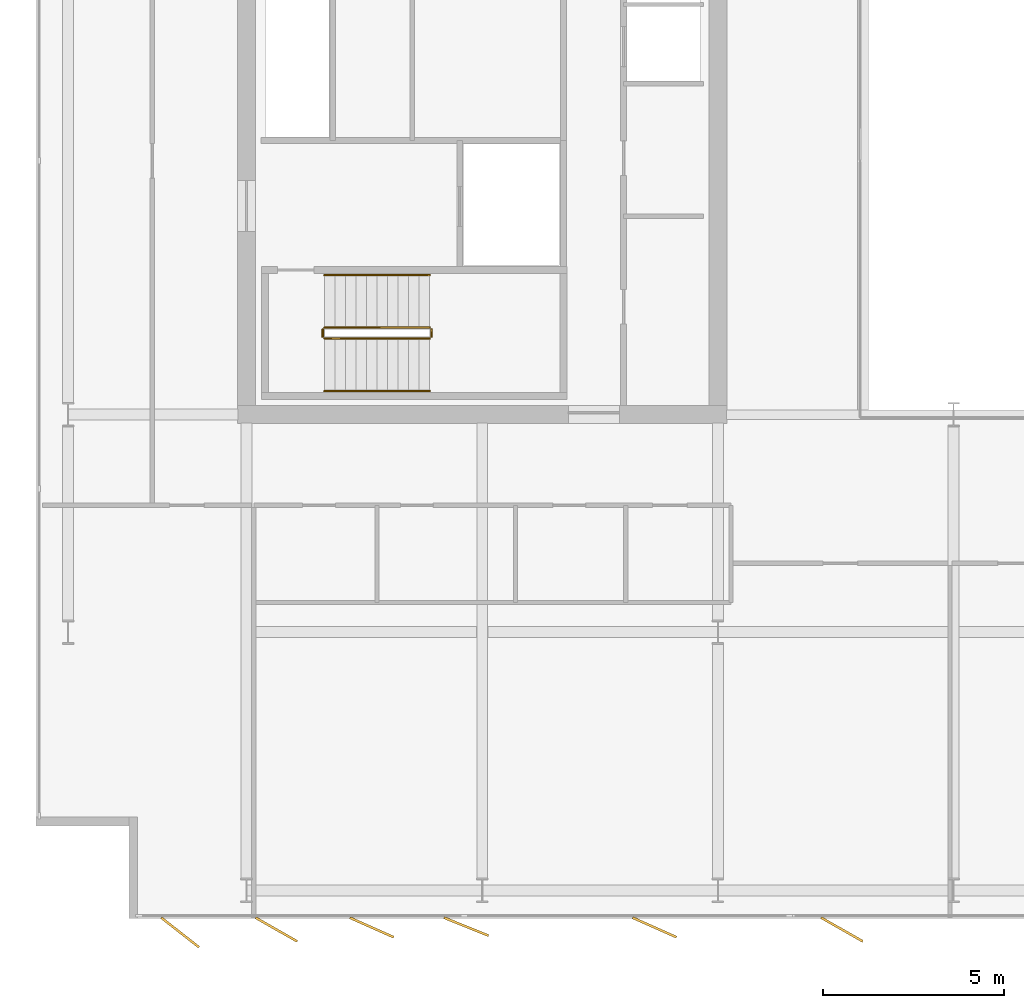
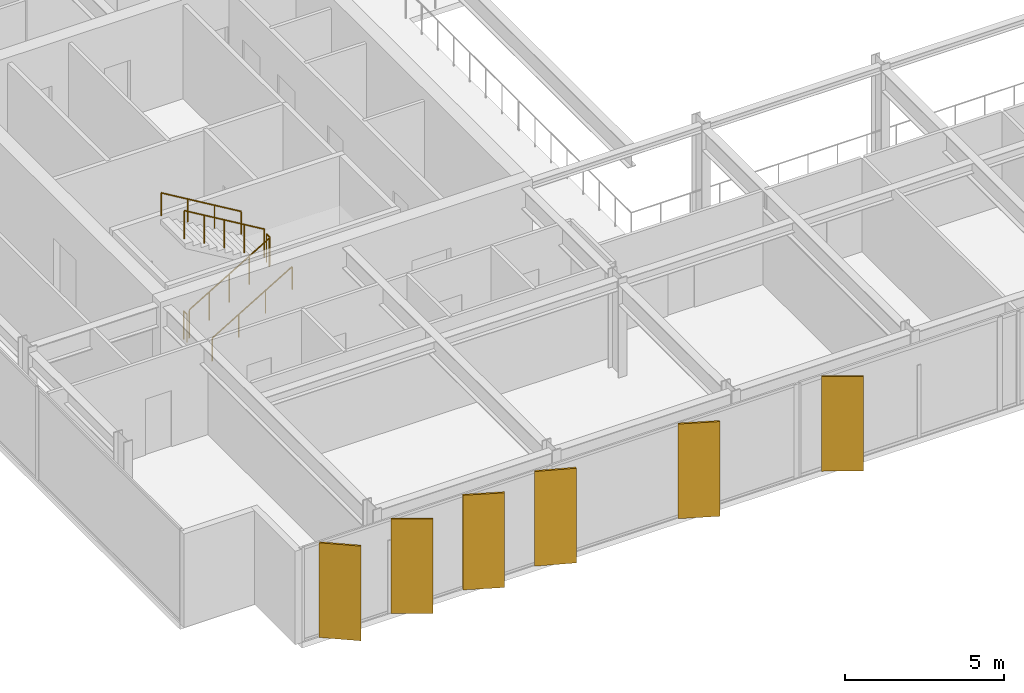
# One storey, part 17 of 20: 6 railings, 6 shading devices.
"""IFC4 building model written with IfcOpenShell, lengths in metres."""

from ifc_helpers import new_model, si_unit, direction, frame, origin, origin_2d, place, context, subcontext, project, spatial, rectangle, circle, extrude, material, layer, layer_set, type_object, element, save


model = new_model("IFC4")

# Units and contexts
model_context = context("Model", 3, precision=1e-05, world=origin(), true_north=direction((0.0, 1.0)))
body_context = subcontext(model_context, "Body", "Model", "MODEL_VIEW")
ifc_project = project(units=[si_unit("LENGTHUNIT", "METRE"), si_unit("AREAUNIT", "SQUARE_METRE"), si_unit("VOLUMEUNIT", "CUBIC_METRE"), si_unit("PLANEANGLEUNIT", "RADIAN"), si_unit("MASSUNIT", "GRAM", prefix="KILO")], contexts=[model_context])

# Site, building, storey
site_placement = place(None, origin())
site = spatial("IfcSite", under=ifc_project, at=site_placement, CompositionType="ELEMENT")
building_placement = place(site_placement, origin())
building = spatial("IfcBuilding", under=site, at=building_placement, Name="Putna Gate Headquarters", CompositionType="ELEMENT")
storey_placement = place(building_placement, frame((0.0, 0.0, 270.800048828125)))
storey = spatial("IfcBuildingStorey", under=building, at=storey_placement, Name="L68", CompositionType="ELEMENT", Elevation=270.800048828125)

# Railings
ifc_material_1 = material(Name="Powder-coated steel stair guardrail", Category="steel")
railing_type_1 = type_object("IfcRailingType", Name="RAIL-STAIR-GUARD-1100", PredefinedType="GUARDRAIL", material=ifc_material_1)
railing_1_placement = place(storey_placement, frame((15.14990234375, 21.10009765625, 0.172607421875)))
element("IfcRailing", 1, at=railing_1_placement, inside=storey, type_object=railing_type_1, Name="L68 ST1 stair guard 1", PredefinedType="GUARDRAIL", context=body_context, shape_type="SweptSolid", body=[
    extrude(circle(Radius=0.02392578125, at=origin_2d()), frame((0.0, 0.0, 1.076171875), z_axis=(0.859160404282, 0.0, 0.51170636083), x_axis=(0.0, 1.0, 0.0)), (0.0, 0.0, 1.0), 3.37548828125),
    extrude(circle(Radius=0.02099609375, at=origin_2d()), origin(), (0.0, 0.0, 1.0), 1.052001953125),
    extrude(circle(Radius=0.02099609375, at=origin_2d()), frame((0.72509765625, 0.0, 0.431884765625)), (0.0, 0.0, 1.0), 1.052001953125),
    extrude(circle(Radius=0.02099609375, at=origin_2d()), frame((1.4501953125, 0.0, 0.86376953125)), (0.0, 0.0, 1.0), 1.052001953125),
    extrude(circle(Radius=0.02099609375, at=origin_2d()), frame((2.175048828125, 0.0, 1.29541015625)), (0.0, 0.0, 1.0), 1.052001953125),
    extrude(circle(Radius=0.02099609375, at=origin_2d()), frame((2.900146484375, 0.0, 1.727294921875)), (0.0, 0.0, 1.0), 1.052001953125),
])
railing_2_placement = place(storey_placement, frame((18.10009765625, 21.14990234375, 1.89990234375)))
element("IfcRailing", 2, at=railing_2_placement, inside=storey, type_object=railing_type_1, Name="L68 ST1 stair guard 2", PredefinedType="GUARDRAIL", context=body_context, shape_type="SweptSolid", body=[
    extrude(circle(Radius=0.02392578125, at=origin_2d()), frame((0.0, 0.0, 1.076171875), z_axis=(0.0, 1.0, 0.0), x_axis=(-1.0, 0.0, 0.0)), (0.0, 0.0, 1.0), 0.2001953125),
    extrude(circle(Radius=0.02099609375, at=origin_2d()), origin(), (0.0, 0.0, 1.0), 1.052001953125),
    extrude(circle(Radius=0.02099609375, at=origin_2d()), frame((0.0, 0.2001953125, 0.0)), (0.0, 0.0, 1.0), 1.052001953125),
])
railing_3_placement = place(storey_placement, frame((18.050048828125, 21.39990234375, 2.07275390625)))
element("IfcRailing", 3, at=railing_3_placement, inside=storey, type_object=railing_type_1, Name="L68 ST1 stair guard 3", PredefinedType="GUARDRAIL", context=body_context, shape_type="SweptSolid", body=[
    extrude(circle(Radius=0.02392578125, at=origin_2d()), frame((0.0, 0.0, 1.076171875), z_axis=(-0.859160404282, 0.0, 0.51170636083), x_axis=(0.0, -1.0, 0.0)), (0.0, 0.0, 1.0), 3.37548828125),
    extrude(circle(Radius=0.02099609375, at=origin_2d()), origin(), (0.0, 0.0, 1.0), 1.052001953125),
    extrude(circle(Radius=0.02099609375, at=origin_2d()), frame((-0.72509765625, 0.0, 0.431884765625)), (0.0, 0.0, 1.0), 1.052001953125),
    extrude(circle(Radius=0.02099609375, at=origin_2d()), frame((-1.4501953125, 0.0, 0.86376953125)), (0.0, 0.0, 1.0), 1.052001953125),
    extrude(circle(Radius=0.02099609375, at=origin_2d()), frame((-2.175048828125, 0.0, 1.29541015625)), (0.0, 0.0, 1.0), 1.052001953125),
    extrude(circle(Radius=0.02099609375, at=origin_2d()), frame((-2.900146484375, 0.0, 1.727294921875)), (0.0, 0.0, 1.0), 1.052001953125),
])
railing_4_placement = place(storey_placement, frame((15.10009765625, 21.14990234375, 0.0)))
element("IfcRailing", 4, at=railing_4_placement, inside=storey, type_object=railing_type_1, Name="L68 ST1 stair guard 4", PredefinedType="GUARDRAIL", context=body_context, shape_type="SweptSolid", body=[
    extrude(circle(Radius=0.02392578125, at=origin_2d()), frame((0.0, 0.0, 1.076171875), z_axis=(0.0, 1.0, 0.0), x_axis=(-1.0, 0.0, 0.0)), (0.0, 0.0, 1.0), 0.2001953125),
    extrude(circle(Radius=0.02099609375, at=origin_2d()), origin(), (0.0, 0.0, 1.0), 1.052001953125),
    extrude(circle(Radius=0.02099609375, at=origin_2d()), frame((0.0, 0.2001953125, 0.0)), (0.0, 0.0, 1.0), 1.052001953125),
])
ifc_material_2 = material(Name="Brushed stainless steel handrail", Category="steel")
railing_type_2 = type_object("IfcRailingType", Name="RAIL-STAIR-HAND-900", PredefinedType="HANDRAIL", material=ifc_material_2)
railing_5_placement = place(storey_placement, frame((15.14990234375, 19.64990234375, 0.172607421875)))
element("IfcRailing", 5, at=railing_5_placement, inside=storey, type_object=railing_type_2, Name="L68 ST1 stair handrail 1", PredefinedType="HANDRAIL", context=body_context, shape_type="SweptSolid", body=[
    extrude(circle(Radius=0.02392578125, at=origin_2d()), frame((0.0, 0.0, 0.8759765625), z_axis=(0.859160404282, 0.0, 0.51170636083), x_axis=(0.0, 1.0, 0.0)), (0.0, 0.0, 1.0), 3.37548828125),
    extrude(circle(Radius=0.02099609375, at=origin_2d()), origin(), (0.0, 0.0, 1.0), 0.851806640625),
    extrude(circle(Radius=0.02099609375, at=origin_2d()), frame((0.966796875, 0.0, 0.57568359375)), (0.0, 0.0, 1.0), 0.851806640625),
    extrude(circle(Radius=0.02099609375, at=origin_2d()), frame((1.933349609375, 0.0, 1.151611328125)), (0.0, 0.0, 1.0), 0.851806640625),
    extrude(circle(Radius=0.02099609375, at=origin_2d()), frame((2.900146484375, 0.0, 1.727294921875)), (0.0, 0.0, 1.0), 0.851806640625),
])
railing_6_placement = place(storey_placement, frame((18.050048828125, 22.85009765625, 2.07275390625)))
element("IfcRailing", 6, at=railing_6_placement, inside=storey, type_object=railing_type_2, Name="L68 ST1 stair handrail 2", PredefinedType="HANDRAIL", context=body_context, shape_type="SweptSolid", body=[
    extrude(circle(Radius=0.02392578125, at=origin_2d()), frame((0.0, 0.0, 0.8759765625), z_axis=(-0.859160404282, 0.0, 0.51170636083), x_axis=(0.0, -1.0, 0.0)), (0.0, 0.0, 1.0), 3.37548828125),
    extrude(circle(Radius=0.02099609375, at=origin_2d()), origin(), (0.0, 0.0, 1.0), 0.851806640625),
    extrude(circle(Radius=0.02099609375, at=origin_2d()), frame((-0.966796875, 0.0, 0.57568359375)), (0.0, 0.0, 1.0), 0.851806640625),
    extrude(circle(Radius=0.02099609375, at=origin_2d()), frame((-1.933349609375, 0.0, 1.151611328125)), (0.0, 0.0, 1.0), 0.851806640625),
    extrude(circle(Radius=0.02099609375, at=origin_2d()), frame((-2.900146484375, 0.0, 1.727294921875)), (0.0, 0.0, 1.0), 0.851806640625),
])

# Shading devices
ifc_material_3 = material(Name="Anodised architectural bronze aluminium fin", Category="aluminium")
ifc_layer = layer(ifc_material_3, 0.06494140625)
ifc_layer_set = layer_set([ifc_layer], Name="Anodised architectural bronze aluminium fin")
shading_device_type = type_object("IfcShadingDeviceType", Name="SHADE-BRONZE-FIN-1320", PredefinedType="USERDEFINED", material=ifc_layer_set)
for number, where, z_axis, x_axis, name in (
    (7, (11.169677734375, 4.71826171875, -0.02001953125), (0.0, 0.0, 1.0), (0.787473187632, -0.616348909921, 0.0), "L68 Bronze Vertical Shading Fin S1"),
    (8, (13.82373046875, 4.798828125, -0.02001953125), (0.0, 0.0, 1.0), (0.869322458298, -0.494245347472, 0.0), "L68 Bronze Vertical Shading Fin S2"),
    (9, (16.452880859375, 4.856689453125, -0.02001953125), (0.0, 0.0, 1.0), (0.913687379856, -0.40641773078, 0.0), "L68 Bronze Vertical Shading Fin S3"),
    (10, (19.06201171875, 4.877685546875, -0.02001953125), (0.0, 0.0, 1.0), (0.927183854567, -0.374606593416, 0.0), "L68 Bronze Vertical Shading Fin S4"),
    (11, (24.2529296875, 4.856689453125, -0.02001953125), (0.0, 0.0, 1.0), (0.913687379856, -0.40641773078, 0.0), "L68 Bronze Vertical Shading Fin S5"),
    (12, (29.423828125, 4.798828125, -0.02001953125), (0.0, 0.0, 1.0), (0.869322458298, -0.494245347472, 0.0), "L68 Bronze Vertical Shading Fin S6"),
):
    element("IfcShadingDevice", number, at=place(storey_placement, frame(where, z_axis=z_axis, x_axis=x_axis)), inside=storey, type_object=shading_device_type, Name=name, ObjectType="FIN", PredefinedType="USERDEFINED", context=body_context, shape_type="SweptSolid", body=[
        extrude(rectangle(XDim=1.320068359375, YDim=0.06494140625, at=origin_2d()), origin(), (0.0, 0.0, 1.0), 3.6279296875),
    ])

save(model, "model.ifc")
